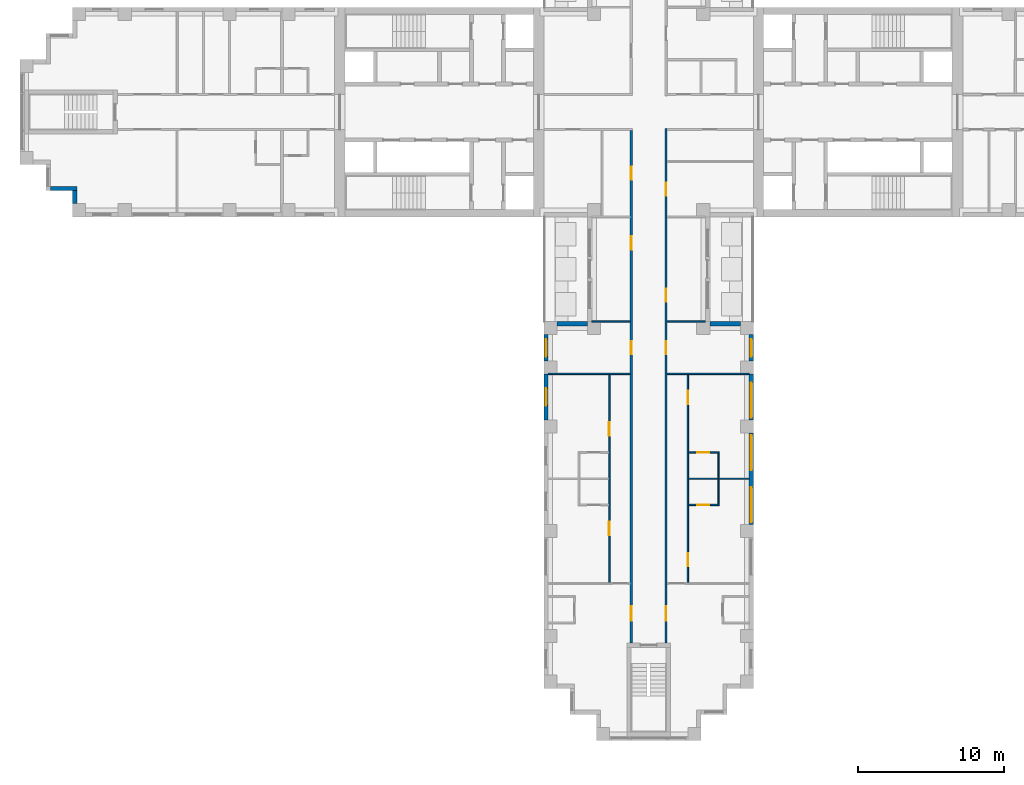
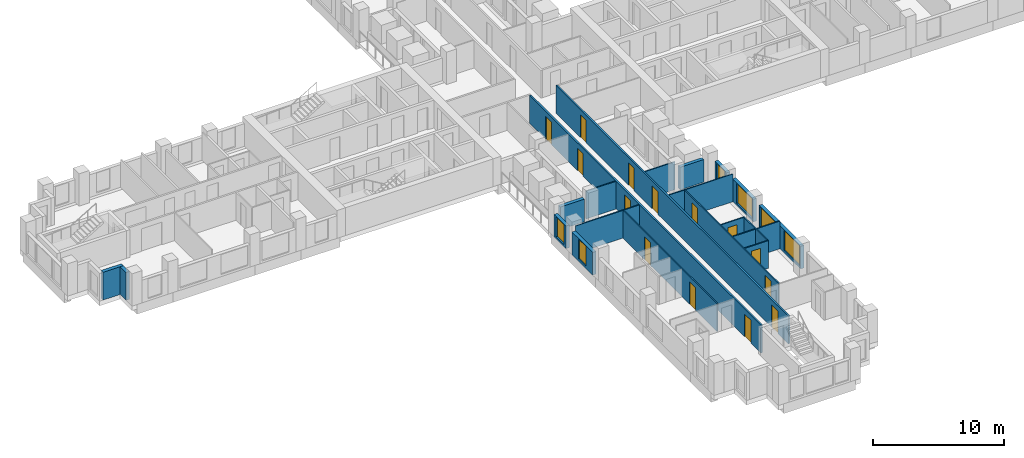
# One storey, part 4 of 15: 21 walls, 14 doors, 6 windows, 20 openings.
"""IFC4 building model written with IfcOpenShell, lengths in metres."""

from ifc_helpers import new_model, si_unit, direction, frame, frame_2d, origin, place, context, subcontext, project, spatial, rectangle, extrude, material, layer, layer_set, type_object, element, fill, save


model = new_model("IFC4")

# Units and contexts
model_context = context("Model", 3, precision=1e-05, world=origin(), true_north=direction((0.0, 1.0)))
body_context = subcontext(model_context, "Body", "Model", "MODEL_VIEW")
ifc_project = project(units=[si_unit("LENGTHUNIT", "METRE"), si_unit("AREAUNIT", "SQUARE_METRE"), si_unit("VOLUMEUNIT", "CUBIC_METRE"), si_unit("PLANEANGLEUNIT", "RADIAN"), si_unit("MASSUNIT", "GRAM", prefix="KILO")], contexts=[model_context])

# Site, building, storey
site_placement = place(None, origin())
site = spatial("IfcSite", under=ifc_project, at=site_placement, CompositionType="ELEMENT")
building_placement = place(site_placement, origin())
building = spatial("IfcBuilding", under=site, at=building_placement, Name="Fustian Cross Tower", CompositionType="ELEMENT")
storey_placement = place(building_placement, frame((0.0, 0.0, 47.699951171875)))
storey = spatial("IfcBuildingStorey", under=building, at=storey_placement, Name="L14", CompositionType="ELEMENT", Elevation=47.699951171875)

# Wall, openings, doors
ifc_material_1 = material(Name="Plasterboard on steel stud", Category="steel")
ifc_layer_1 = layer(ifc_material_1, 0.14990234375)
ifc_layer_set_1 = layer_set([ifc_layer_1], Name="Plasterboard on steel stud")
wall_type_1 = type_object("IfcWallType", Name="COMPARTMENT WALL 150 EI 60", PredefinedType="PARTITIONING", material=ifc_layer_set_1)
wall_1_placement = place(storey_placement, frame((-1.199951171875, -36.5, 0.0), z_axis=(0.0, 0.0, 1.0), x_axis=(0.0, 1.0, 0.0)))
wall_1 = element("IfcWall", 1, at=wall_1_placement, inside=storey, type_object=wall_type_1, Name="Partition 42", PredefinedType="PARTITIONING", context=body_context, shape_type="SweptSolid", body=[
    extrude(rectangle(XDim=35.22509765625, YDim=0.14990234375, at=frame_2d((17.612548828125, 0.0))), origin(), (0.0, 0.0, 1.0), 2.574951171875),
])
opening_1_placement = place(wall_1_placement, frame((31.85009765625, 0.0, 0.0)))
opening_1 = element("IfcOpeningElement", 2, at=opening_1_placement, cuts=wall_1, Name="Opening D08007", PredefinedType="OPENING", context=body_context, shape_type="SweptSolid", body=[
    extrude(rectangle(XDim=0.89990234375, YDim=2.10009765625, at=frame_2d((0.449951171875, 1.050048828125))), frame((0.0, 0.0849609375, 0.0), z_axis=(0.0, -1.0, 0.0), x_axis=(1.0, 0.0, 0.0)), (0.0, 0.0, 1.0), 0.169921875),
])
opening_2_placement = place(wall_1_placement, frame((27.050048828125, 0.0, 0.0)))
opening_2 = element("IfcOpeningElement", 3, at=opening_2_placement, cuts=wall_1, Name="Opening D08057", PredefinedType="OPENING", context=body_context, shape_type="SweptSolid", body=[
    extrude(rectangle(XDim=0.89990234375, YDim=2.10009765625, at=frame_2d((0.449951171875, 1.050048828125))), frame((0.0, 0.0849609375, 0.0), z_axis=(0.0, -1.0, 0.0), x_axis=(1.0, 0.0, 0.0)), (0.0, 0.0, 1.0), 0.169921875),
])
opening_3_placement = place(wall_1_placement, frame((19.85009765625, 0.0, 0.0)))
opening_3 = element("IfcOpeningElement", 4, at=opening_3_placement, cuts=wall_1, Name="Opening D08058", PredefinedType="OPENING", context=body_context, shape_type="SweptSolid", body=[
    extrude(rectangle(XDim=0.89990234375, YDim=2.10009765625, at=frame_2d((0.449951171875, 1.050048828125))), frame((0.0, 0.0849609375, 0.0), z_axis=(0.0, -1.0, 0.0), x_axis=(1.0, 0.0, 0.0)), (0.0, 0.0, 1.0), 0.169921875),
])
opening_4_placement = place(wall_1_placement, frame((1.550048828125, 0.0, 0.0)))
opening_4 = element("IfcOpeningElement", 5, at=opening_4_placement, cuts=wall_1, Name="Opening D08060", PredefinedType="OPENING", context=body_context, shape_type="SweptSolid", body=[
    extrude(rectangle(XDim=1.0, YDim=2.10009765625, at=frame_2d((0.5, 1.050048828125))), frame((0.0, 0.0849609375, 0.0), z_axis=(0.0, -1.0, 0.0), x_axis=(1.0, 0.0, 0.0)), (0.0, 0.0, 1.0), 0.169921875),
])
ifc_material_2 = material(Name="Timber fire door set", Category="wood")
door_type_1 = type_object("IfcDoorType", Name="FIRE SWING DOOR 1000 FD30S", OperationType="SINGLE_SWING_LEFT", PredefinedType="DOOR", material=ifc_material_2)
door_1_placement = place(opening_4_placement, origin())
door_1 = element("IfcDoor", 6, at=door_1_placement, inside=storey, type_object=door_type_1, Name="Door D08060", OperationType="SINGLE_SWING_RIGHT", OverallHeight=2.10009765625, OverallWidth=1.0, PredefinedType="DOOR", context=body_context, shape_type="SweptSolid", body=[
    extrude(rectangle(XDim=1.0, YDim=2.10009765625, at=frame_2d((0.5, 1.050048828125))), frame((0.0, 0.02490234375, 0.0), z_axis=(0.0, -1.0, 0.0), x_axis=(1.0, 0.0, 0.0)), (0.0, 0.0, 1.0), 0.050048828125),
])
fill(opening_4, door_1)
ifc_material_3 = material(Name="Timber fire door set", Category="wood")
door_type_2 = type_object("IfcDoorType", Name="FIRE SWING DOOR 900 FD30S", OperationType="SINGLE_SWING_LEFT", PredefinedType="DOOR", material=ifc_material_3)
door_2_placement = place(opening_1_placement, origin())
door_2 = element("IfcDoor", 7, at=door_2_placement, inside=storey, type_object=door_type_2, Name="Door D08007", OperationType="SINGLE_SWING_LEFT", OverallHeight=2.10009765625, OverallWidth=0.89990234375, PredefinedType="DOOR", context=body_context, shape_type="SweptSolid", body=[
    extrude(rectangle(XDim=0.89990234375, YDim=2.10009765625, at=frame_2d((0.449951171875, 1.050048828125))), frame((0.0, 0.02490234375, 0.0), z_axis=(0.0, -1.0, 0.0), x_axis=(1.0, 0.0, 0.0)), (0.0, 0.0, 1.0), 0.050048828125),
])
fill(opening_1, door_2)
door_3_placement = place(opening_2_placement, origin())
door_3 = element("IfcDoor", 8, at=door_3_placement, inside=storey, type_object=door_type_2, Name="Door D08057", OperationType="SINGLE_SWING_RIGHT", OverallHeight=2.10009765625, OverallWidth=0.89990234375, PredefinedType="DOOR", context=body_context, shape_type="SweptSolid", body=[
    extrude(rectangle(XDim=0.89990234375, YDim=2.10009765625, at=frame_2d((0.449951171875, 1.050048828125))), frame((0.0, 0.02490234375, 0.0), z_axis=(0.0, -1.0, 0.0), x_axis=(1.0, 0.0, 0.0)), (0.0, 0.0, 1.0), 0.050048828125),
])
fill(opening_2, door_3)
door_4_placement = place(opening_3_placement, origin())
door_4 = element("IfcDoor", 9, at=door_4_placement, inside=storey, type_object=door_type_2, Name="Door D08058", OperationType="SINGLE_SWING_LEFT", OverallHeight=2.10009765625, OverallWidth=0.89990234375, PredefinedType="DOOR", context=body_context, shape_type="SweptSolid", body=[
    extrude(rectangle(XDim=0.89990234375, YDim=2.10009765625, at=frame_2d((0.449951171875, 1.050048828125))), frame((0.0, 0.02490234375, 0.0), z_axis=(0.0, -1.0, 0.0), x_axis=(1.0, 0.0, 0.0)), (0.0, 0.0, 1.0), 0.050048828125),
])
fill(opening_3, door_4)

wall_2_placement = place(storey_placement, frame((1.199951171875, -36.5, 0.0), z_axis=(0.0, 0.0, 1.0), x_axis=(0.0, 1.0, 0.0)))
wall_2 = element("IfcWall", 10, at=wall_2_placement, inside=storey, type_object=wall_type_1, Name="Partition 44", PredefinedType="PARTITIONING", context=body_context, shape_type="SweptSolid", body=[
    extrude(rectangle(XDim=35.375, YDim=0.14990234375, at=frame_2d((17.6875, 0.0))), origin(), (0.0, 0.0, 1.0), 2.574951171875),
])
opening_5_placement = place(wall_2_placement, frame((30.75, 0.0, 0.0)))
opening_5 = element("IfcOpeningElement", 11, at=opening_5_placement, cuts=wall_2, Name="Opening D08006", PredefinedType="OPENING", context=body_context, shape_type="SweptSolid", body=[
    extrude(rectangle(XDim=0.89990234375, YDim=2.10009765625, at=frame_2d((0.449951171875, 1.050048828125))), frame((0.0, 0.0849609375, 0.0), z_axis=(0.0, -1.0, 0.0), x_axis=(1.0, 0.0, 0.0)), (0.0, 0.0, 1.0), 0.169921875),
])
opening_6_placement = place(wall_2_placement, frame((23.449951171875, 0.0, 0.0)))
opening_6 = element("IfcOpeningElement", 12, at=opening_6_placement, cuts=wall_2, Name="Opening D08048", PredefinedType="OPENING", context=body_context, shape_type="SweptSolid", body=[
    extrude(rectangle(XDim=0.89990234375, YDim=2.10009765625, at=frame_2d((0.449951171875, 1.050048828125))), frame((0.0, 0.0849609375, 0.0), z_axis=(0.0, -1.0, 0.0), x_axis=(1.0, 0.0, 0.0)), (0.0, 0.0, 1.0), 0.169921875),
])
opening_7_placement = place(wall_2_placement, frame((19.85009765625, 0.0, 0.0)))
opening_7 = element("IfcOpeningElement", 13, at=opening_7_placement, cuts=wall_2, Name="Opening D08049", PredefinedType="OPENING", context=body_context, shape_type="SweptSolid", body=[
    extrude(rectangle(XDim=0.89990234375, YDim=2.10009765625, at=frame_2d((0.449951171875, 1.050048828125))), frame((0.0, 0.0849609375, 0.0), z_axis=(0.0, -1.0, 0.0), x_axis=(1.0, 0.0, 0.0)), (0.0, 0.0, 1.0), 0.169921875),
])
opening_8_placement = place(wall_2_placement, frame((1.550048828125, 0.0, 0.0)))
opening_8 = element("IfcOpeningElement", 14, at=opening_8_placement, cuts=wall_2, Name="Opening D08051", PredefinedType="OPENING", context=body_context, shape_type="SweptSolid", body=[
    extrude(rectangle(XDim=1.0, YDim=2.10009765625, at=frame_2d((0.5, 1.050048828125))), frame((0.0, 0.0849609375, 0.0), z_axis=(0.0, -1.0, 0.0), x_axis=(1.0, 0.0, 0.0)), (0.0, 0.0, 1.0), 0.169921875),
])
door_5_placement = place(opening_8_placement, frame((1.0, 0.0, 0.0), z_axis=(0.0, 0.0, 1.0), x_axis=(-1.0, 0.0, 0.0)))
door_5 = element("IfcDoor", 15, at=door_5_placement, inside=storey, type_object=door_type_1, Name="Door D08051", OperationType="SINGLE_SWING_LEFT", OverallHeight=2.10009765625, OverallWidth=1.0, PredefinedType="DOOR", context=body_context, shape_type="SweptSolid", body=[
    extrude(rectangle(XDim=1.0, YDim=2.10009765625, at=frame_2d((0.5, 1.050048828125))), frame((0.0, 0.02490234375, 0.0), z_axis=(0.0, -1.0, 0.0), x_axis=(1.0, 0.0, 0.0)), (0.0, 0.0, 1.0), 0.050048828125),
])
fill(opening_8, door_5)
door_6_placement = place(opening_5_placement, frame((0.89990234375, 0.0, 0.0), z_axis=(0.0, 0.0, 1.0), x_axis=(-1.0, 0.0, 0.0)))
door_6 = element("IfcDoor", 16, at=door_6_placement, inside=storey, type_object=door_type_2, Name="Door D08006", OperationType="SINGLE_SWING_LEFT", OverallHeight=2.10009765625, OverallWidth=0.89990234375, PredefinedType="DOOR", context=body_context, shape_type="SweptSolid", body=[
    extrude(rectangle(XDim=0.89990234375, YDim=2.10009765625, at=frame_2d((0.449951171875, 1.050048828125))), frame((0.0, 0.02490234375, 0.0), z_axis=(0.0, -1.0, 0.0), x_axis=(1.0, 0.0, 0.0)), (0.0, 0.0, 1.0), 0.050048828125),
])
fill(opening_5, door_6)
door_7_placement = place(opening_6_placement, frame((0.89990234375, 0.0, 0.0), z_axis=(0.0, 0.0, 1.0), x_axis=(-1.0, 0.0, 0.0)))
door_7 = element("IfcDoor", 17, at=door_7_placement, inside=storey, type_object=door_type_2, Name="Door D08048", OperationType="SINGLE_SWING_RIGHT", OverallHeight=2.10009765625, OverallWidth=0.89990234375, PredefinedType="DOOR", context=body_context, shape_type="SweptSolid", body=[
    extrude(rectangle(XDim=0.89990234375, YDim=2.10009765625, at=frame_2d((0.449951171875, 1.050048828125))), frame((0.0, 0.02490234375, 0.0), z_axis=(0.0, -1.0, 0.0), x_axis=(1.0, 0.0, 0.0)), (0.0, 0.0, 1.0), 0.050048828125),
])
fill(opening_6, door_7)
door_8_placement = place(opening_7_placement, frame((0.89990234375, 0.0, 0.0), z_axis=(0.0, 0.0, 1.0), x_axis=(-1.0, 0.0, 0.0)))
door_8 = element("IfcDoor", 18, at=door_8_placement, inside=storey, type_object=door_type_2, Name="Door D08049", OperationType="SINGLE_SWING_RIGHT", OverallHeight=2.10009765625, OverallWidth=0.89990234375, PredefinedType="DOOR", context=body_context, shape_type="SweptSolid", body=[
    extrude(rectangle(XDim=0.89990234375, YDim=2.10009765625, at=frame_2d((0.449951171875, 1.050048828125))), frame((0.0, 0.02490234375, 0.0), z_axis=(0.0, -1.0, 0.0), x_axis=(1.0, 0.0, 0.0)), (0.0, 0.0, 1.0), 0.050048828125),
])
fill(opening_7, door_8)

# Walls
ifc_material_4 = material(Name="Plasterboard on steel stud", Category="steel")
ifc_layer_2 = layer(ifc_material_4, 0.10009765625)
ifc_layer_set_2 = layer_set([ifc_layer_2], Name="Plasterboard on steel stud")
wall_type_2 = type_object("IfcWallType", Name="PARTITION 100 STUD", PredefinedType="PARTITIONING", material=ifc_layer_set_2)
wall_3_placement = place(storey_placement, frame((-6.89990234375, -18.0, 0.0), z_axis=(0.0, 0.0, 1.0), x_axis=(1.0, 0.0, 0.0)))
element("IfcWall", 19, at=wall_3_placement, inside=storey, type_object=wall_type_2, Name="Partition 22", PredefinedType="PARTITIONING", context=body_context, shape_type="SweptSolid", body=[
    extrude(rectangle(XDim=5.625, YDim=0.10009765625, at=frame_2d((2.8125, 0.0))), origin(), (0.0, 0.0, 1.0), 2.574951171875),
])
wall_4_placement = place(storey_placement, frame((-3.89990234375, -14.39990234375, 0.0), z_axis=(0.0, 0.0, 1.0), x_axis=(1.0, 0.0, 0.0)))
element("IfcWall", 20, at=wall_4_placement, inside=storey, type_object=wall_type_2, Name="Partition 30", PredefinedType="PARTITIONING", context=body_context, shape_type="SweptSolid", body=[
    extrude(rectangle(XDim=2.625, YDim=0.10009765625, at=frame_2d((1.3125, 0.0))), origin(), (0.0, 0.0, 1.0), 2.574951171875),
])

# Wall, openings, doors
wall_5_placement = place(storey_placement, frame((-2.699951171875, -32.35009765625, 0.0), z_axis=(0.0, 0.0, 1.0), x_axis=(0.0, 1.0, 0.0)))
wall_5 = element("IfcWall", 21, at=wall_5_placement, inside=storey, type_object=wall_type_2, Name="Partition 41", PredefinedType="PARTITIONING", context=body_context, shape_type="SweptSolid", body=[
    extrude(rectangle(XDim=14.300048828125, YDim=0.10009765625, at=frame_2d((7.14990234375, 0.0))), origin(), (0.0, 0.0, 1.0), 2.574951171875),
])
opening_9_placement = place(wall_5_placement, frame((3.280029296875, 0.0, 0.0)))
opening_9 = element("IfcOpeningElement", 22, at=opening_9_placement, cuts=wall_5, Name="Opening D08061", PredefinedType="OPENING", context=body_context, shape_type="SweptSolid", body=[
    extrude(rectangle(XDim=0.89990234375, YDim=2.10009765625, at=frame_2d((0.449951171875, 1.050048828125))), frame((0.0, 0.06005859375, 0.0), z_axis=(0.0, -1.0, 0.0), x_axis=(1.0, 0.0, 0.0)), (0.0, 0.0, 1.0), 0.1201171875),
])
opening_10_placement = place(wall_5_placement, frame((10.119873046875, 0.0, 0.0)))
opening_10 = element("IfcOpeningElement", 23, at=opening_10_placement, cuts=wall_5, Name="Opening D08062", PredefinedType="OPENING", context=body_context, shape_type="SweptSolid", body=[
    extrude(rectangle(XDim=0.89990234375, YDim=2.10009765625, at=frame_2d((0.449951171875, 1.050048828125))), frame((0.0, 0.06005859375, 0.0), z_axis=(0.0, -1.0, 0.0), x_axis=(1.0, 0.0, 0.0)), (0.0, 0.0, 1.0), 0.1201171875),
])
ifc_material_5 = material(Name="Painted timber", Category="wood")
door_type_3 = type_object("IfcDoorType", Name="SWING DOOR 900", OperationType="SINGLE_SWING_LEFT", PredefinedType="DOOR", material=ifc_material_5)
door_9_placement = place(opening_9_placement, frame((0.89990234375, 0.0, 0.0), z_axis=(0.0, 0.0, 1.0), x_axis=(-1.0, 0.0, 0.0)))
door_9 = element("IfcDoor", 24, at=door_9_placement, inside=storey, type_object=door_type_3, Name="Door D08061", OperationType="SINGLE_SWING_RIGHT", OverallHeight=2.10009765625, OverallWidth=0.89990234375, PredefinedType="DOOR", context=body_context, shape_type="SweptSolid", body=[
    extrude(rectangle(XDim=0.89990234375, YDim=2.10009765625, at=frame_2d((0.449951171875, 1.050048828125))), frame((0.0, 0.02490234375, 0.0), z_axis=(0.0, -1.0, 0.0), x_axis=(1.0, 0.0, 0.0)), (0.0, 0.0, 1.0), 0.050048828125),
])
fill(opening_9, door_9)
door_10_placement = place(opening_10_placement, frame((0.89990234375, 0.0, 0.0), z_axis=(0.0, 0.0, 1.0), x_axis=(-1.0, 0.0, 0.0)))
door_10 = element("IfcDoor", 25, at=door_10_placement, inside=storey, type_object=door_type_3, Name="Door D08062", OperationType="SINGLE_SWING_LEFT", OverallHeight=2.10009765625, OverallWidth=0.89990234375, PredefinedType="DOOR", context=body_context, shape_type="SweptSolid", body=[
    extrude(rectangle(XDim=0.89990234375, YDim=2.10009765625, at=frame_2d((0.449951171875, 1.050048828125))), frame((0.0, 0.02490234375, 0.0), z_axis=(0.0, -1.0, 0.0), x_axis=(1.0, 0.0, 0.0)), (0.0, 0.0, 1.0), 0.050048828125),
])
fill(opening_10, door_10)

# Walls
wall_6_placement = place(storey_placement, frame((1.27490234375, -18.0, 0.0), z_axis=(0.0, 0.0, 1.0), x_axis=(1.0, 0.0, 0.0)))
element("IfcWall", 26, at=wall_6_placement, inside=storey, type_object=wall_type_2, Name="Partition 46", PredefinedType="PARTITIONING", context=body_context, shape_type="SweptSolid", body=[
    extrude(rectangle(XDim=5.625, YDim=0.10009765625, at=frame_2d((2.8125, 0.0))), origin(), (0.0, 0.0, 1.0), 2.574951171875),
])
wall_7_placement = place(storey_placement, frame((1.27490234375, -14.39990234375, 0.0), z_axis=(0.0, 0.0, 1.0), x_axis=(1.0, 0.0, 0.0)))
element("IfcWall", 27, at=wall_7_placement, inside=storey, type_object=wall_type_2, Name="Partition 47", PredefinedType="PARTITIONING", context=body_context, shape_type="SweptSolid", body=[
    extrude(rectangle(XDim=2.625, YDim=0.10009765625, at=frame_2d((1.3125, 0.0))), origin(), (0.0, 0.0, 1.0), 2.574951171875),
])

# Wall, openings, doors
wall_8_placement = place(storey_placement, frame((2.699951171875, -32.35009765625, 0.0), z_axis=(0.0, 0.0, 1.0), x_axis=(0.0, 1.0, 0.0)))
wall_8 = element("IfcWall", 28, at=wall_8_placement, inside=storey, type_object=wall_type_2, Name="Partition 59", PredefinedType="PARTITIONING", context=body_context, shape_type="SweptSolid", body=[
    extrude(rectangle(XDim=14.300048828125, YDim=0.10009765625, at=frame_2d((7.14990234375, 0.0))), origin(), (0.0, 0.0, 1.0), 2.574951171875),
])
opening_11_placement = place(wall_8_placement, frame((1.1201171875, 0.0, 0.0)))
opening_11 = element("IfcOpeningElement", 29, at=opening_11_placement, cuts=wall_8, Name="Opening D08053", PredefinedType="OPENING", context=body_context, shape_type="SweptSolid", body=[
    extrude(rectangle(XDim=0.89990234375, YDim=2.10009765625, at=frame_2d((0.449951171875, 1.050048828125))), frame((0.0, 0.06005859375, 0.0), z_axis=(0.0, -1.0, 0.0), x_axis=(1.0, 0.0, 0.0)), (0.0, 0.0, 1.0), 0.1201171875),
])
opening_12_placement = place(wall_8_placement, frame((12.280029296875, 0.0, 0.0)))
opening_12 = element("IfcOpeningElement", 30, at=opening_12_placement, cuts=wall_8, Name="Opening D08054", PredefinedType="OPENING", context=body_context, shape_type="SweptSolid", body=[
    extrude(rectangle(XDim=0.89990234375, YDim=2.10009765625, at=frame_2d((0.449951171875, 1.050048828125))), frame((0.0, 0.06005859375, 0.0), z_axis=(0.0, -1.0, 0.0), x_axis=(1.0, 0.0, 0.0)), (0.0, 0.0, 1.0), 0.1201171875),
])
door_11_placement = place(opening_11_placement, origin())
door_11 = element("IfcDoor", 31, at=door_11_placement, inside=storey, type_object=door_type_3, Name="Door D08053", OperationType="SINGLE_SWING_LEFT", OverallHeight=2.10009765625, OverallWidth=0.89990234375, PredefinedType="DOOR", context=body_context, shape_type="SweptSolid", body=[
    extrude(rectangle(XDim=0.89990234375, YDim=2.10009765625, at=frame_2d((0.449951171875, 1.050048828125))), frame((0.0, 0.02490234375, 0.0), z_axis=(0.0, -1.0, 0.0), x_axis=(1.0, 0.0, 0.0)), (0.0, 0.0, 1.0), 0.050048828125),
])
fill(opening_11, door_11)
door_12_placement = place(opening_12_placement, origin())
door_12 = element("IfcDoor", 32, at=door_12_placement, inside=storey, type_object=door_type_3, Name="Door D08054", OperationType="SINGLE_SWING_RIGHT", OverallHeight=2.10009765625, OverallWidth=0.89990234375, PredefinedType="DOOR", context=body_context, shape_type="SweptSolid", body=[
    extrude(rectangle(XDim=0.89990234375, YDim=2.10009765625, at=frame_2d((0.449951171875, 1.050048828125))), frame((0.0, 0.02490234375, 0.0), z_axis=(0.0, -1.0, 0.0), x_axis=(1.0, 0.0, 0.0)), (0.0, 0.0, 1.0), 0.050048828125),
])
fill(opening_12, door_12)

# Wall, opening, door
wall_9_placement = place(storey_placement, frame((2.75, -27.0, 0.0), z_axis=(0.0, 0.0, 1.0), x_axis=(1.0, 0.0, 0.0)))
wall_9 = element("IfcWall", 33, at=wall_9_placement, inside=storey, type_object=wall_type_2, Name="Partition 60", PredefinedType="PARTITIONING", context=body_context, shape_type="SweptSolid", body=[
    extrude(rectangle(XDim=2.10009765625, YDim=0.10009765625, at=frame_2d((1.050048828125, 0.0))), origin(), (0.0, 0.0, 1.0), 2.574951171875),
])
opening_13_placement = place(wall_9_placement, frame((0.60009765625, 0.0, 0.0)))
opening_13 = element("IfcOpeningElement", 34, at=opening_13_placement, cuts=wall_9, Name="Opening D08056", PredefinedType="OPENING", context=body_context, shape_type="SweptSolid", body=[
    extrude(rectangle(XDim=0.800048828125, YDim=2.10009765625, at=frame_2d((0.39990234375, 1.050048828125))), frame((0.0, 0.06005859375, 0.0), z_axis=(0.0, -1.0, 0.0), x_axis=(1.0, 0.0, 0.0)), (0.0, 0.0, 1.0), 0.1201171875),
])
ifc_material_6 = material(Name="Painted timber", Category="wood")
door_type_4 = type_object("IfcDoorType", Name="SWING DOOR 800", OperationType="SINGLE_SWING_LEFT", PredefinedType="DOOR", material=ifc_material_6)
door_13_placement = place(opening_13_placement, origin())
door_13 = element("IfcDoor", 35, at=door_13_placement, inside=storey, type_object=door_type_4, Name="Door D08056", OperationType="SINGLE_SWING_LEFT", OverallHeight=2.10009765625, OverallWidth=0.800048828125, PredefinedType="DOOR", context=body_context, shape_type="SweptSolid", body=[
    extrude(rectangle(XDim=0.800048828125, YDim=2.10009765625, at=frame_2d((0.39990234375, 1.050048828125))), frame((0.0, 0.02490234375, 0.0), z_axis=(0.0, -1.0, 0.0), x_axis=(1.0, 0.0, 0.0)), (0.0, 0.0, 1.0), 0.050048828125),
])
fill(opening_13, door_13)

# Wall
wall_10_placement = place(storey_placement, frame((2.75, -25.199951171875, 0.0), z_axis=(0.0, 0.0, 1.0), x_axis=(1.0, 0.0, 0.0)))
element("IfcWall", 36, at=wall_10_placement, inside=storey, type_object=wall_type_2, Name="Partition 61", PredefinedType="PARTITIONING", context=body_context, shape_type="SweptSolid", body=[
    extrude(rectangle(XDim=4.14990234375, YDim=0.10009765625, at=frame_2d((2.074951171875, 0.0))), origin(), (0.0, 0.0, 1.0), 2.574951171875),
])

# Wall, opening, door
wall_11_placement = place(storey_placement, frame((2.75, -23.39990234375, 0.0), z_axis=(0.0, 0.0, 1.0), x_axis=(1.0, 0.0, 0.0)))
wall_11 = element("IfcWall", 37, at=wall_11_placement, inside=storey, type_object=wall_type_2, Name="Partition 62", PredefinedType="PARTITIONING", context=body_context, shape_type="SweptSolid", body=[
    extrude(rectangle(XDim=2.10009765625, YDim=0.10009765625, at=frame_2d((1.050048828125, 0.0))), origin(), (0.0, 0.0, 1.0), 2.574951171875),
])
opening_14_placement = place(wall_11_placement, frame((0.60009765625, 0.0, 0.0)))
opening_14 = element("IfcOpeningElement", 38, at=opening_14_placement, cuts=wall_11, Name="Opening D08055", PredefinedType="OPENING", context=body_context, shape_type="SweptSolid", body=[
    extrude(rectangle(XDim=0.800048828125, YDim=2.10009765625, at=frame_2d((0.39990234375, 1.050048828125))), frame((0.0, 0.06005859375, 0.0), z_axis=(0.0, -1.0, 0.0), x_axis=(1.0, 0.0, 0.0)), (0.0, 0.0, 1.0), 0.1201171875),
])
door_14_placement = place(opening_14_placement, frame((0.800048828125, 0.0, 0.0), z_axis=(0.0, 0.0, 1.0), x_axis=(-1.0, 0.0, 0.0)))
door_14 = element("IfcDoor", 39, at=door_14_placement, inside=storey, type_object=door_type_4, Name="Door D08055", OperationType="SINGLE_SWING_RIGHT", OverallHeight=2.10009765625, OverallWidth=0.800048828125, PredefinedType="DOOR", context=body_context, shape_type="SweptSolid", body=[
    extrude(rectangle(XDim=0.800048828125, YDim=2.10009765625, at=frame_2d((0.39990234375, 1.050048828125))), frame((0.0, 0.02490234375, 0.0), z_axis=(0.0, -1.0, 0.0), x_axis=(1.0, 0.0, 0.0)), (0.0, 0.0, 1.0), 0.050048828125),
])
fill(opening_14, door_14)

# Walls
wall_12_placement = place(storey_placement, frame((4.800048828125, -26.949951171875, 0.0), z_axis=(0.0, 0.0, 1.0), x_axis=(0.0, 1.0, 0.0)))
element("IfcWall", 40, at=wall_12_placement, inside=storey, type_object=wall_type_2, Name="Partition 68", PredefinedType="PARTITIONING", context=body_context, shape_type="SweptSolid", body=[
    extrude(rectangle(XDim=3.5, YDim=0.10009765625, at=frame_2d((1.75, 0.0))), origin(), (0.0, 0.0, 1.0), 2.574951171875),
])
ifc_material_7 = material(Name="Dark aluminium cladding on insulated backing wall", Category="aluminium")
ifc_layer_3 = layer(ifc_material_7, 0.300048828125)
ifc_layer_set_3 = layer_set([ifc_layer_3], Name="Dark aluminium cladding on insulated backing wall")
wall_type_3 = type_object("IfcWallType", Name="XW1 EXTERNAL WALL 300", PredefinedType="SOLIDWALL", material=ifc_layer_set_3)
wall_13_placement = place(storey_placement, frame((-41.10009765625, -5.25, 0.0), z_axis=(0.0, 0.0, 1.0), x_axis=(1.0, 0.0, 0.0)))
element("IfcWall", 41, at=wall_13_placement, inside=storey, type_object=wall_type_3, Name="External wall", PredefinedType="SOLIDWALL", context=body_context, shape_type="SweptSolid", body=[
    extrude(rectangle(XDim=1.800048828125, YDim=0.300048828125, at=frame_2d((0.89990234375, 0.0))), origin(), (0.0, 0.0, 1.0), 2.574951171875),
])
wall_14_placement = place(storey_placement, frame((-39.449951171875, -5.39990234375, 0.0), z_axis=(0.0, 0.0, 1.0), x_axis=(0.0, -1.0, 0.0)))
element("IfcWall", 42, at=wall_14_placement, inside=storey, type_object=wall_type_3, Name="External wall", PredefinedType="SOLIDWALL", context=body_context, shape_type="SweptSolid", body=[
    extrude(rectangle(XDim=0.900146484375, YDim=0.300048828125, at=frame_2d((0.4501953125, 0.0))), origin(), (0.0, 0.0, 1.0), 2.574951171875),
])
wall_15_placement = place(storey_placement, frame((-4.199951171875, -14.550048828125, 0.0), z_axis=(0.0, 0.0, 1.0), x_axis=(-1.0, 0.0, 0.0)))
element("IfcWall", 43, at=wall_15_placement, inside=storey, type_object=wall_type_3, Name="External wall", PredefinedType="SOLIDWALL", context=body_context, shape_type="SweptSolid", body=[
    extrude(rectangle(XDim=2.10009765625, YDim=0.300048828125, at=frame_2d((1.050048828125, 0.0))), origin(), (0.0, 0.0, 1.0), 2.10009765625),
])

# Wall, opening, window
wall_16_placement = place(storey_placement, frame((-7.050048828125, -15.300048828125, 0.0), z_axis=(0.0, 0.0, 1.0), x_axis=(0.0, -1.0, 0.0)))
wall_16 = element("IfcWall", 44, at=wall_16_placement, inside=storey, type_object=wall_type_3, Name="External wall", PredefinedType="SOLIDWALL", context=body_context, shape_type="SweptSolid", body=[
    extrude(rectangle(XDim=1.800048828125, YDim=0.300048828125, at=frame_2d((0.89990234375, 0.0))), origin(), (0.0, 0.0, 1.0), 2.10009765625),
])
opening_15_placement = place(wall_16_placement, frame((0.300048828125, 0.0, 0.199951171875)))
opening_15 = element("IfcOpeningElement", 45, at=opening_15_placement, cuts=wall_16, Name="Opening WN3", PredefinedType="OPENING", context=body_context, shape_type="SweptSolid", body=[
    extrude(rectangle(XDim=1.199951171875, YDim=1.85009765625, at=frame_2d((0.60009765625, 0.925048828125))), frame((0.0, 0.159912109375, 0.0), z_axis=(0.0, -1.0, 0.0), x_axis=(1.0, 0.0, 0.0)), (0.0, 0.0, 1.0), 0.320068359375),
])
ifc_material_8 = material(Name="Dark anodised aluminium and double glazing", Category="aluminium")
window_type_1 = type_object("IfcWindowType", Name="WN3 WINDOW 1200X1850", PartitioningType="SINGLE_PANEL", PredefinedType="WINDOW", material=ifc_material_8)
window_1_placement = place(opening_15_placement, origin())
window_1 = element("IfcWindow", 46, at=window_1_placement, inside=storey, type_object=window_type_1, Name="Window", OverallHeight=1.85009765625, OverallWidth=1.199951171875, PartitioningType="SINGLE_PANEL", PredefinedType="WINDOW", context=body_context, shape_type="SweptSolid", body=[
    extrude(rectangle(XDim=1.199951171875, YDim=1.85009765625, at=frame_2d((0.60009765625, 0.925048828125))), frame((0.0, 0.030029296875, 0.0), z_axis=(0.0, -1.0, 0.0), x_axis=(1.0, 0.0, 0.0)), (0.0, 0.0, 1.0), 0.06005859375),
])
fill(opening_15, window_1)

wall_17_placement = place(storey_placement, frame((-7.050048828125, -18.0, 0.0), z_axis=(0.0, 0.0, 1.0), x_axis=(0.0, -1.0, 0.0)))
wall_17 = element("IfcWall", 47, at=wall_17_placement, inside=storey, type_object=wall_type_3, Name="External wall", PredefinedType="SOLIDWALL", context=body_context, shape_type="SweptSolid", body=[
    extrude(rectangle(XDim=3.14990234375, YDim=0.300048828125, at=frame_2d((1.574951171875, 0.0))), origin(), (0.0, 0.0, 1.0), 2.10009765625),
])
opening_16_placement = place(wall_17_placement, frame((0.97509765625, 0.0, 0.199951171875)))
opening_16 = element("IfcOpeningElement", 48, at=opening_16_placement, cuts=wall_17, Name="Opening WN3", PredefinedType="OPENING", context=body_context, shape_type="SweptSolid", body=[
    extrude(rectangle(XDim=1.199951171875, YDim=1.85009765625, at=frame_2d((0.60009765625, 0.925048828125))), frame((0.0, 0.159912109375, 0.0), z_axis=(0.0, -1.0, 0.0), x_axis=(1.0, 0.0, 0.0)), (0.0, 0.0, 1.0), 0.320068359375),
])
window_2_placement = place(opening_16_placement, origin())
window_2 = element("IfcWindow", 49, at=window_2_placement, inside=storey, type_object=window_type_1, Name="Window", OverallHeight=1.85009765625, OverallWidth=1.199951171875, PartitioningType="SINGLE_PANEL", PredefinedType="WINDOW", context=body_context, shape_type="SweptSolid", body=[
    extrude(rectangle(XDim=1.199951171875, YDim=1.85009765625, at=frame_2d((0.60009765625, 0.925048828125))), frame((0.0, 0.030029296875, 0.0), z_axis=(0.0, -1.0, 0.0), x_axis=(1.0, 0.0, 0.0)), (0.0, 0.0, 1.0), 0.06005859375),
])
fill(opening_16, window_2)

# Wall, openings, windows
wall_18_placement = place(storey_placement, frame((7.050048828125, -28.35009765625, 0.0), z_axis=(0.0, 0.0, 1.0), x_axis=(0.0, 1.0, 0.0)))
wall_18 = element("IfcWall", 50, at=wall_18_placement, inside=storey, type_object=wall_type_3, Name="External wall", PredefinedType="SOLIDWALL", context=body_context, shape_type="SweptSolid", body=[
    extrude(rectangle(XDim=6.300048828125, YDim=0.300048828125, at=frame_2d((3.14990234375, 0.0))), origin(), (0.0, 0.0, 1.0), 2.10009765625),
])
opening_17_placement = place(wall_18_placement, frame((0.14990234375, 0.0, 0.199951171875)))
opening_17 = element("IfcOpeningElement", 51, at=opening_17_placement, cuts=wall_18, Name="Opening WN1", PredefinedType="OPENING", context=body_context, shape_type="SweptSolid", body=[
    extrude(rectangle(XDim=2.39990234375, YDim=1.85009765625, at=frame_2d((1.199951171875, 0.925048828125))), frame((0.0, 0.159912109375, 0.0), z_axis=(0.0, -1.0, 0.0), x_axis=(1.0, 0.0, 0.0)), (0.0, 0.0, 1.0), 0.320068359375),
])
opening_18_placement = place(wall_18_placement, frame((3.75, 0.0, 0.199951171875)))
opening_18 = element("IfcOpeningElement", 52, at=opening_18_placement, cuts=wall_18, Name="Opening WN1", PredefinedType="OPENING", context=body_context, shape_type="SweptSolid", body=[
    extrude(rectangle(XDim=2.39990234375, YDim=1.85009765625, at=frame_2d((1.199951171875, 0.925048828125))), frame((0.0, 0.159912109375, 0.0), z_axis=(0.0, -1.0, 0.0), x_axis=(1.0, 0.0, 0.0)), (0.0, 0.0, 1.0), 0.320068359375),
])
ifc_material_9 = material(Name="Dark anodised aluminium and double glazing", Category="aluminium")
window_type_2 = type_object("IfcWindowType", Name="WN1 WINDOW 2400X1850", PartitioningType="SINGLE_PANEL", PredefinedType="WINDOW", material=ifc_material_9)
window_3_placement = place(opening_17_placement, origin())
window_3 = element("IfcWindow", 53, at=window_3_placement, inside=storey, type_object=window_type_2, Name="Window", OverallHeight=1.85009765625, OverallWidth=2.39990234375, PartitioningType="SINGLE_PANEL", PredefinedType="WINDOW", context=body_context, shape_type="SweptSolid", body=[
    extrude(rectangle(XDim=2.39990234375, YDim=1.85009765625, at=frame_2d((1.199951171875, 0.925048828125))), frame((0.0, 0.030029296875, 0.0), z_axis=(0.0, -1.0, 0.0), x_axis=(1.0, 0.0, 0.0)), (0.0, 0.0, 1.0), 0.06005859375),
])
fill(opening_17, window_3)
window_4_placement = place(opening_18_placement, origin())
window_4 = element("IfcWindow", 54, at=window_4_placement, inside=storey, type_object=window_type_2, Name="Window", OverallHeight=1.85009765625, OverallWidth=2.39990234375, PartitioningType="SINGLE_PANEL", PredefinedType="WINDOW", context=body_context, shape_type="SweptSolid", body=[
    extrude(rectangle(XDim=2.39990234375, YDim=1.85009765625, at=frame_2d((1.199951171875, 0.925048828125))), frame((0.0, 0.030029296875, 0.0), z_axis=(0.0, -1.0, 0.0), x_axis=(1.0, 0.0, 0.0)), (0.0, 0.0, 1.0), 0.06005859375),
])
fill(opening_18, window_4)

# Wall, opening, window
wall_19_placement = place(storey_placement, frame((7.050048828125, -21.14990234375, 0.0), z_axis=(0.0, 0.0, 1.0), x_axis=(0.0, 1.0, 0.0)))
wall_19 = element("IfcWall", 55, at=wall_19_placement, inside=storey, type_object=wall_type_3, Name="External wall", PredefinedType="SOLIDWALL", context=body_context, shape_type="SweptSolid", body=[
    extrude(rectangle(XDim=3.14990234375, YDim=0.300048828125, at=frame_2d((1.574951171875, 0.0))), origin(), (0.0, 0.0, 1.0), 2.10009765625),
])
opening_19_placement = place(wall_19_placement, frame((0.14990234375, 0.0, 0.199951171875)))
opening_19 = element("IfcOpeningElement", 56, at=opening_19_placement, cuts=wall_19, Name="Opening WN1", PredefinedType="OPENING", context=body_context, shape_type="SweptSolid", body=[
    extrude(rectangle(XDim=2.39990234375, YDim=1.85009765625, at=frame_2d((1.199951171875, 0.925048828125))), frame((0.0, 0.159912109375, 0.0), z_axis=(0.0, -1.0, 0.0), x_axis=(1.0, 0.0, 0.0)), (0.0, 0.0, 1.0), 0.320068359375),
])
window_5_placement = place(opening_19_placement, origin())
window_5 = element("IfcWindow", 57, at=window_5_placement, inside=storey, type_object=window_type_2, Name="Window", OverallHeight=1.85009765625, OverallWidth=2.39990234375, PartitioningType="SINGLE_PANEL", PredefinedType="WINDOW", context=body_context, shape_type="SweptSolid", body=[
    extrude(rectangle(XDim=2.39990234375, YDim=1.85009765625, at=frame_2d((1.199951171875, 0.925048828125))), frame((0.0, 0.030029296875, 0.0), z_axis=(0.0, -1.0, 0.0), x_axis=(1.0, 0.0, 0.0)), (0.0, 0.0, 1.0), 0.06005859375),
])
fill(opening_19, window_5)

wall_20_placement = place(storey_placement, frame((7.050048828125, -17.10009765625, 0.0), z_axis=(0.0, 0.0, 1.0), x_axis=(0.0, 1.0, 0.0)))
wall_20 = element("IfcWall", 58, at=wall_20_placement, inside=storey, type_object=wall_type_3, Name="External wall", PredefinedType="SOLIDWALL", context=body_context, shape_type="SweptSolid", body=[
    extrude(rectangle(XDim=1.800048828125, YDim=0.300048828125, at=frame_2d((0.89990234375, 0.0))), origin(), (0.0, 0.0, 1.0), 2.10009765625),
])
opening_20_placement = place(wall_20_placement, frame((0.300048828125, 0.0, 0.199951171875)))
opening_20 = element("IfcOpeningElement", 59, at=opening_20_placement, cuts=wall_20, Name="Opening WN3", PredefinedType="OPENING", context=body_context, shape_type="SweptSolid", body=[
    extrude(rectangle(XDim=1.199951171875, YDim=1.85009765625, at=frame_2d((0.60009765625, 0.925048828125))), frame((0.0, 0.159912109375, 0.0), z_axis=(0.0, -1.0, 0.0), x_axis=(1.0, 0.0, 0.0)), (0.0, 0.0, 1.0), 0.320068359375),
])
window_6_placement = place(opening_20_placement, origin())
window_6 = element("IfcWindow", 60, at=window_6_placement, inside=storey, type_object=window_type_1, Name="Window", OverallHeight=1.85009765625, OverallWidth=1.199951171875, PartitioningType="SINGLE_PANEL", PredefinedType="WINDOW", context=body_context, shape_type="SweptSolid", body=[
    extrude(rectangle(XDim=1.199951171875, YDim=1.85009765625, at=frame_2d((0.60009765625, 0.925048828125))), frame((0.0, 0.030029296875, 0.0), z_axis=(0.0, -1.0, 0.0), x_axis=(1.0, 0.0, 0.0)), (0.0, 0.0, 1.0), 0.06005859375),
])
fill(opening_20, window_6)

# Wall
wall_21_placement = place(storey_placement, frame((6.300048828125, -14.550048828125, 0.0), z_axis=(0.0, 0.0, 1.0), x_axis=(-1.0, 0.0, 0.0)))
element("IfcWall", 61, at=wall_21_placement, inside=storey, type_object=wall_type_3, Name="External wall", PredefinedType="SOLIDWALL", context=body_context, shape_type="SweptSolid", body=[
    extrude(rectangle(XDim=2.10009765625, YDim=0.300048828125, at=frame_2d((1.050048828125, 0.0))), origin(), (0.0, 0.0, 1.0), 2.10009765625),
])

save(model, "model.ifc")
